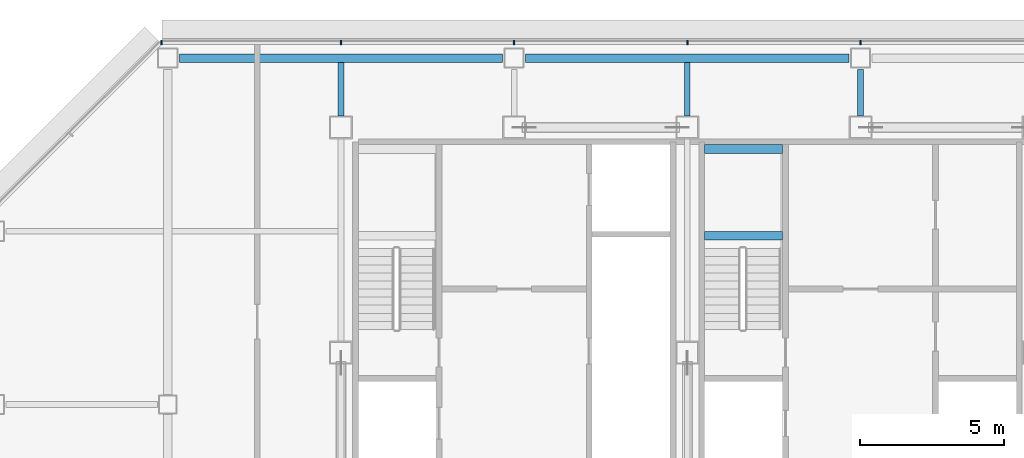
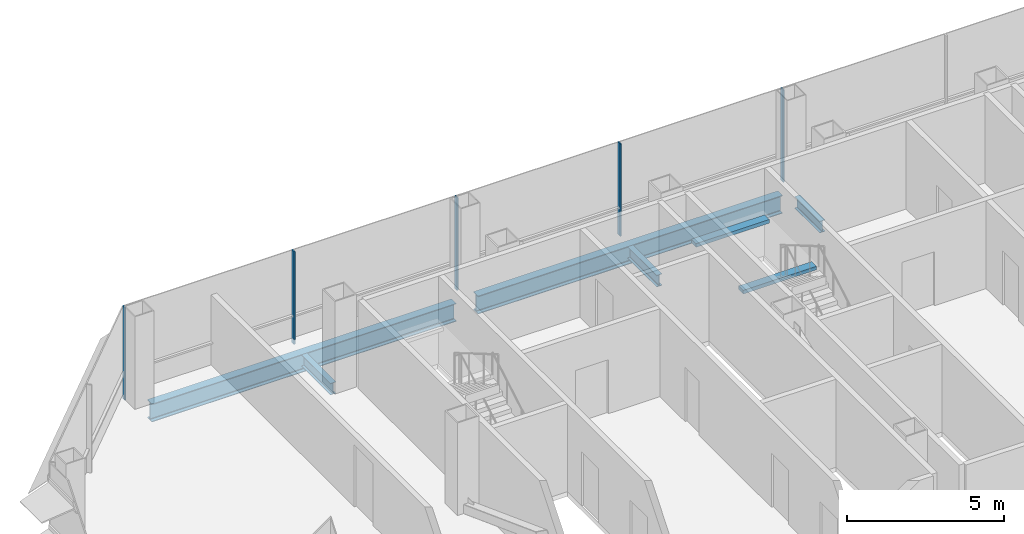
# One storey, part 12 of 26: 7 beams, 5 members, 1 element without a shape of its own.
"""IFC4 building model written with IfcOpenShell, lengths in metres."""

from ifc_helpers import new_model, si_unit, direction, frame, origin, origin_2d, place, context, subcontext, project, spatial, rectangle, i_section, extrude, material, material_profile, profile_set, type_object, element, aggregate, save


model = new_model("IFC4")

# Units and contexts
model_context = context("Model", 3, precision=1e-05, world=origin(), true_north=direction((0.0, 1.0)))
body_context = subcontext(model_context, "Body", "Model", "MODEL_VIEW")
ifc_project = project(units=[si_unit("LENGTHUNIT", "METRE"), si_unit("AREAUNIT", "SQUARE_METRE"), si_unit("VOLUMEUNIT", "CUBIC_METRE"), si_unit("PLANEANGLEUNIT", "RADIAN"), si_unit("MASSUNIT", "GRAM", prefix="KILO")], contexts=[model_context])

# Site, building, storey
site_placement = place(None, origin())
site = spatial("IfcSite", under=ifc_project, at=site_placement, CompositionType="ELEMENT")
building_placement = place(site_placement, origin())
building = spatial("IfcBuilding", under=site, at=building_placement, Name="Sorahane Residences", CompositionType="ELEMENT")
storey_placement = place(building_placement, frame((0.0, 0.0, 147.39990234375)))
storey = spatial("IfcBuildingStorey", under=building, at=storey_placement, Name="L33", CompositionType="ELEMENT", Elevation=147.39990234375)

# Curtain wall, members
ifc_material_1 = material(Name="Dark low-e glass and black anodised aluminium", Category="aluminium")
curtain_wall_type = type_object("IfcCurtainWallType", Name="Curtain wall CW-1 Typical unitised wall", PredefinedType="NOTDEFINED", material=ifc_material_1)
curtain_wall_placement = place(storey_placement, origin())
curtain_wall = element("IfcCurtainWall", 1, at=curtain_wall_placement, inside=storey, type_object=curtain_wall_type, Name="CW-1 curtain wall L33 N1", PredefinedType="NOTDEFINED")
ifc_material_2 = material(Name="Black anodised aluminium", Category="aluminium")
ifc_material_profile_1 = material_profile(ifc_material_2, rectangle(XDim=0.159912109375, YDim=0.050048828125, at=origin_2d()), Name="Curtain wall mullion CW-1 black anodised aluminium 50x160")
ifc_profile_set_1 = profile_set([ifc_material_profile_1], Name="Black anodised aluminium")
member_type = type_object("IfcMemberType", Name="Curtain wall mullion CW-1 black anodised aluminium 50x160", PredefinedType="MULLION", material=ifc_profile_set_1)
member_1_placement = place(storey_placement, frame((24.0, 48.5400390625, -0.179931640625), z_axis=(0.0, 0.0, 1.0), x_axis=(0.0, 1.0, 0.0)))
member_1 = element("IfcMember", 2, at=member_1_placement, type_object=member_type, Name="CW-1 mullion L33 N1.6", PredefinedType="MULLION", context=body_context, shape_type="SweptSolid", body=[
    extrude(rectangle(XDim=0.159912109375, YDim=0.050048828125, at=origin_2d()), origin(), (0.0, 0.0, 1.0), 3.60009765625),
])
member_2_placement = place(storey_placement, frame((18.0, 48.5400390625, -0.179931640625), z_axis=(0.0, 0.0, 1.0), x_axis=(0.0, 1.0, 0.0)))
member_2 = element("IfcMember", 3, at=member_2_placement, type_object=member_type, Name="CW-1 mullion L33 N1.7", PredefinedType="MULLION", context=body_context, shape_type="SweptSolid", body=[
    extrude(rectangle(XDim=0.159912109375, YDim=0.050048828125, at=origin_2d()), origin(), (0.0, 0.0, 1.0), 3.60009765625),
])
member_3_placement = place(storey_placement, frame((12.0, 48.5400390625, -0.179931640625), z_axis=(0.0, 0.0, 1.0), x_axis=(0.0, 1.0, 0.0)))
member_3 = element("IfcMember", 4, at=member_3_placement, type_object=member_type, Name="CW-1 mullion L33 N1.8", PredefinedType="MULLION", context=body_context, shape_type="SweptSolid", body=[
    extrude(rectangle(XDim=0.159912109375, YDim=0.050048828125, at=origin_2d()), origin(), (0.0, 0.0, 1.0), 3.60009765625),
])
member_4_placement = place(storey_placement, frame((6.0, 48.5400390625, -0.179931640625), z_axis=(0.0, 0.0, 1.0), x_axis=(0.0, 1.0, 0.0)))
member_4 = element("IfcMember", 5, at=member_4_placement, type_object=member_type, Name="CW-1 mullion L33 N1.9", PredefinedType="MULLION", context=body_context, shape_type="SweptSolid", body=[
    extrude(rectangle(XDim=0.159912109375, YDim=0.050048828125, at=origin_2d()), origin(), (0.0, 0.0, 1.0), 3.60009765625),
])
member_5_placement = place(storey_placement, frame((-0.2236328125, 48.5400390625, -0.179931640625), z_axis=(0.0, 0.0, 1.0), x_axis=(0.0, 1.0, 0.0)))
member_5 = element("IfcMember", 6, at=member_5_placement, type_object=member_type, Name="CW-1 mullion L33 N1.10", PredefinedType="MULLION", context=body_context, shape_type="SweptSolid", body=[
    extrude(rectangle(XDim=0.159912109375, YDim=0.050048828125, at=origin_2d()), origin(), (0.0, 0.0, 1.0), 3.60009765625),
])
aggregate(curtain_wall, [member_1, member_2, member_3, member_4, member_5])

# Beams
ifc_material_3 = material(Name="Concrete C40", Category="concrete")
ifc_material_profile_2 = material_profile(ifc_material_3, rectangle(XDim=0.300048828125, YDim=0.139892578125, at=origin_2d()), Name="300x140")
ifc_profile_set_2 = profile_set([ifc_material_profile_2], Name="Concrete C40")
beam_type_1 = type_object("IfcBeamType", Name="RC landing beam 300 x 140 Concrete C40", PredefinedType="BEAM", material=ifc_profile_set_2)
for number, where, z_axis, x_axis, name in (
    (7, (18.60009765625, 41.85009765625, 1.530029296875), (1.0, 0.0, 0.0), (0.0, 1.0, 0.0), "Landing beam"),
    (8, (18.60009765625, 44.85009765625, 1.530029296875), (1.0, 0.0, 0.0), (0.0, 1.0, 0.0), "Landing beam"),
):
    element("IfcBeam", number, at=place(storey_placement, frame(where, z_axis=z_axis, x_axis=x_axis)), inside=storey, type_object=beam_type_1, Name=name, PredefinedType="BEAM", context=body_context, shape_type="SweptSolid", body=[
        extrude(rectangle(XDim=0.300048828125, YDim=0.139892578125, at=origin_2d()), origin(), (0.0, 0.0, 1.0), 2.699951171875),
    ])
ifc_material_4 = material(Name="Steel Q355B", Category="steel")
ifc_material_profile_3 = material_profile(ifc_material_4, i_section(OverallWidth=0.199951171875, OverallDepth=0.449951171875, WebThickness=0.009033203125, FlangeThickness=0.013916015625, FilletRadius=0.02001953125, at=origin_2d()), Name="HN 450x200x9x14")
ifc_profile_set_3 = profile_set([ifc_material_profile_3], Name="Steel Q355B")
beam_type_2 = type_object("IfcBeamType", Name="Steel floor beam HN 450x200x9x14 Q355B", PredefinedType="BEAM", material=ifc_profile_set_3)
for number, where, z_axis, x_axis, name in (
    (9, (6.0, 46.0, -0.40478515625), (0.0, 1.0, 0.0), (-1.0, 0.0, 0.0), "Beam L33 033"),
    (10, (18.0, 46.0, -0.40478515625), (0.0, 1.0, 0.0), (-1.0, 0.0, 0.0), "Beam L33 041"),
):
    element("IfcBeam", number, at=place(storey_placement, frame(where, z_axis=z_axis, x_axis=x_axis)), inside=storey, type_object=beam_type_2, Name=name, PredefinedType="BEAM", context=body_context, shape_type="SweptSolid", body=[
        extrude(i_section(OverallWidth=0.199951171875, OverallDepth=0.449951171875, WebThickness=0.009033203125, FlangeThickness=0.013916015625, FilletRadius=0.02001953125, at=origin_2d()), origin(), (0.0, 0.0, 1.0), 1.85009765625),
    ])
beam_placement = place(storey_placement, frame((24.0, 46.0, -0.40478515625), z_axis=(0.0, 1.0, 0.0), x_axis=(-1.0, 0.0, 0.0)))
element("IfcBeam", 11, at=beam_placement, inside=storey, type_object=beam_type_2, Name="Beam L33 043", PredefinedType="BEAM", context=body_context, shape_type="SweptSolid", body=[
    extrude(i_section(OverallWidth=0.199951171875, OverallDepth=0.449951171875, WebThickness=0.009033203125, FlangeThickness=0.013916015625, FilletRadius=0.02001953125, at=origin_2d()), origin(), (0.0, 0.0, 1.0), 1.60009765625),
])
ifc_material_5 = material(Name="Steel Q355B", Category="steel")
ifc_material_profile_4 = material_profile(ifc_material_5, i_section(OverallWidth=0.300048828125, OverallDepth=0.699951171875, WebThickness=0.012939453125, FlangeThickness=0.02392578125, FilletRadius=0.028076171875, at=origin_2d()), Name="HN 700x300x13x24")
ifc_profile_set_4 = profile_set([ifc_material_profile_4], Name="Steel Q355B")
beam_type_3 = type_object("IfcBeamType", Name="Steel floor beam HN 700x300x13x24 Q355B", PredefinedType="BEAM", material=ifc_profile_set_4)
for number, where, z_axis, x_axis, name in (
    (12, (0.39990234375, 48.0, -0.52978515625), (1.0, 0.0, 0.0), (0.0, 1.0, 0.0), "Beam L33 015"),
    (13, (12.39990234375, 48.0, -0.52978515625), (1.0, 0.0, 0.0), (0.0, 1.0, 0.0), "Beam L33 016"),
):
    element("IfcBeam", number, at=place(storey_placement, frame(where, z_axis=z_axis, x_axis=x_axis)), inside=storey, type_object=beam_type_3, Name=name, PredefinedType="BEAM", context=body_context, shape_type="SweptSolid", body=[
        extrude(i_section(OverallWidth=0.300048828125, OverallDepth=0.699951171875, WebThickness=0.012939453125, FlangeThickness=0.02392578125, FilletRadius=0.028076171875, at=origin_2d()), origin(), (0.0, 0.0, 1.0), 11.2001953125),
    ])

save(model, "model.ifc")
